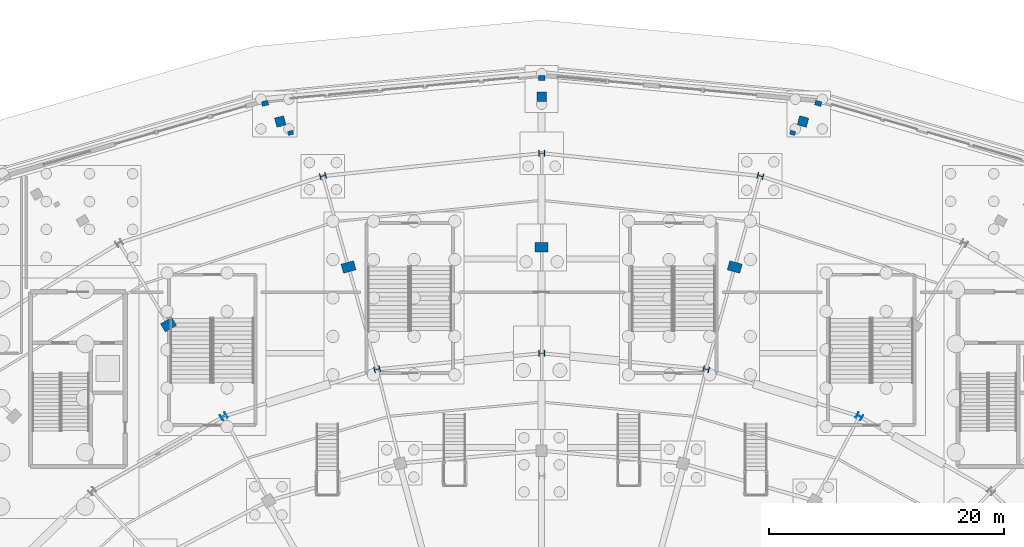
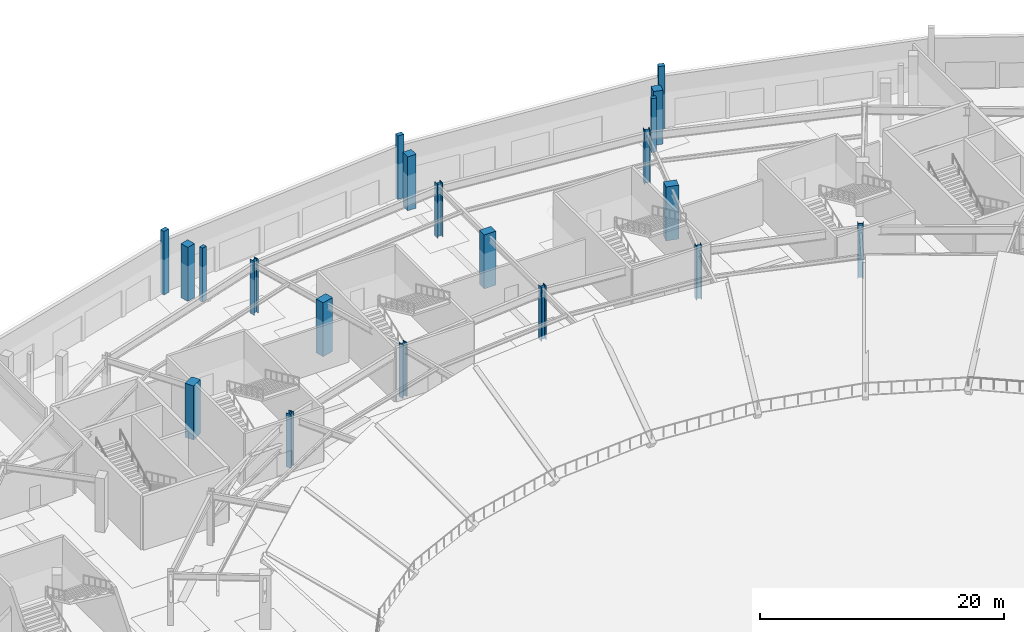
# One storey, part 24 of 93: 20 columns.
"""IFC4 building model written with IfcOpenShell, lengths in metres."""

from ifc_helpers import new_model, si_unit, direction, frame, origin, origin_2d, place, context, subcontext, project, spatial, rectangle, i_section, extrude, material, material_profile, profile_set, type_object, element, save


model = new_model("IFC4")

# Units and contexts
model_context = context("Model", 3, precision=1e-05, world=origin(), true_north=direction((0.0, 1.0)))
body_context = subcontext(model_context, "Body", "Model", "MODEL_VIEW")
ifc_project = project(units=[si_unit("LENGTHUNIT", "METRE"), si_unit("AREAUNIT", "SQUARE_METRE"), si_unit("VOLUMEUNIT", "CUBIC_METRE"), si_unit("PLANEANGLEUNIT", "RADIAN"), si_unit("MASSUNIT", "GRAM", prefix="KILO")], contexts=[model_context])

# Site, building, storey
site_placement = place(None, origin())
site = spatial("IfcSite", under=ifc_project, at=site_placement, CompositionType="ELEMENT")
building_placement = place(site_placement, origin())
building = spatial("IfcBuilding", under=site, at=building_placement, Name="Kalgoora Escarpment Arena", CompositionType="ELEMENT")
storey_placement = place(building_placement, origin())
storey = spatial("IfcBuildingStorey", under=building, at=storey_placement, Name="L00", CompositionType="ELEMENT", Elevation=0.0)

# Columns
ifc_material_1 = material(Name="Structural steel Grade 350 (350 MPa)", Category="steel")
ifc_material_profile_1 = material_profile(ifc_material_1, i_section(OverallWidth=0.5, OverallDepth=0.5, WebThickness=0.02001953125, FlangeThickness=0.034912109375, at=origin_2d()))
ifc_profile_set_1 = profile_set([ifc_material_profile_1], Name="Structural steel Grade 350 (350 MPa)")
column_type_1 = type_object("IfcColumnType", Name="COL-COL-500WC340", PredefinedType="COLUMN", material=ifc_profile_set_1)
for number, where, z_axis, x_axis, name in (
    (1, (110.983154296875, 119.057861328125, 0.0), (0.0, 0.0, 1.0), (0.258819045103, 0.965925826289, 0.0), "L00 structural column COL-RCONC2-R06"),
    (2, (92.39990234375, 121.0, 0.0), (0.0, 0.0, 1.0), (0.0, 1.0, 0.0), "L00 structural column COL-RCONC2-R07"),
    (3, (73.81689453125, 119.057861328125, 0.0), (0.0, 0.0, 1.0), (-0.258819045103, 0.965925826289, 0.0), "L00 structural column COL-RCONC2-R08"),
):
    element("IfcColumn", number, at=place(storey_placement, frame(where, z_axis=z_axis, x_axis=x_axis)), inside=storey, type_object=column_type_1, Name=name, PredefinedType="COLUMN", context=body_context, shape_type="SweptSolid", body=[
        extrude(i_section(OverallWidth=0.5, OverallDepth=0.5, WebThickness=0.02001953125, FlangeThickness=0.034912109375, at=origin_2d()), origin(), (0.0, 0.0, 1.0), 5.39990234375),
    ])
ifc_material_2 = material(Name="Structural steel Grade 350 (350 MPa)", Category="steel")
ifc_material_profile_2 = material_profile(ifc_material_2, i_section(OverallWidth=0.5, OverallDepth=0.5, WebThickness=0.02490234375, FlangeThickness=0.0419921875, at=origin_2d()))
ifc_profile_set_2 = profile_set([ifc_material_profile_2], Name="Structural steel Grade 350 (350 MPa)")
column_type_2 = type_object("IfcColumnType", Name="COL-COL-500WC440", PredefinedType="COLUMN", material=ifc_profile_set_2)
for number, where, z_axis, x_axis, name in (
    (4, (119.39990234375, 98.64111328125, 0.0), (0.0, 0.0, 1.0), (0.5, 0.866025403784, 0.0), "L00 structural column COL-RMAIN-R05"),
    (5, (106.376220703125, 102.636962890625, 0.0), (0.0, 0.0, 1.0), (0.258819045103, 0.965925826289, 0.0), "L00 structural column COL-RMAIN-R06"),
    (6, (92.39990234375, 104.0, 0.0), (0.0, 0.0, 1.0), (0.0, 1.0, 0.0), "L00 structural column COL-RMAIN-R07"),
    (7, (78.423828125, 102.636962890625, 0.0), (0.0, 0.0, 1.0), (-0.258819045103, 0.965925826289, 0.0), "L00 structural column COL-RMAIN-R08"),
    (8, (65.39990234375, 98.64111328125, 0.0), (0.0, 0.0, 1.0), (-0.5, 0.866025403784, 0.0), "L00 structural column COL-RMAIN-R09"),
):
    element("IfcColumn", number, at=place(storey_placement, frame(where, z_axis=z_axis, x_axis=x_axis)), inside=storey, type_object=column_type_2, Name=name, PredefinedType="COLUMN", context=body_context, shape_type="SweptSolid", body=[
        extrude(i_section(OverallWidth=0.5, OverallDepth=0.5, WebThickness=0.02490234375, FlangeThickness=0.0419921875, at=origin_2d()), origin(), (0.0, 0.0, 1.0), 5.39990234375),
    ])
ifc_material_3 = material(Name="Concrete N50 (fc' 50 MPa)", Category="concrete")
ifc_material_profile_3 = material_profile(ifc_material_3, rectangle(XDim=0.800048828125, YDim=1.10009765625, at=origin_2d()))
ifc_profile_set_3 = profile_set([ifc_material_profile_3], Name="Concrete N50 (fc' 50 MPa)")
column_type_3 = type_object("IfcColumnType", Name="COL-COL-RC1100x800", PredefinedType="COLUMN", material=ifc_profile_set_3)
for number, where, z_axis, x_axis, name in (
    (9, (108.80908203125, 111.330322265625, 0.0), (0.0, 0.0, 1.0), (0.258819045103, 0.965925826289, 0.0), "L00 structural column COL-RCONC1-R06"),
    (10, (92.39990234375, 113.0, 0.0), (0.0, 0.0, 1.0), (0.0, 1.0, 0.0), "L00 structural column COL-RCONC1-R07"),
    (11, (75.990966796875, 111.330322265625, 0.0), (0.0, 0.0, 1.0), (-0.258819045103, 0.965925826289, 0.0), "L00 structural column COL-RCONC1-R08"),
    (12, (60.699951171875, 106.435302734375, 0.0), (0.0, 0.0, 1.0), (-0.5, 0.866025403784, 0.0), "L00 structural column COL-RCONC1-R09"),
):
    element("IfcColumn", number, at=place(storey_placement, frame(where, z_axis=z_axis, x_axis=x_axis)), inside=storey, type_object=column_type_3, Name=name, PredefinedType="COLUMN", context=body_context, shape_type="SweptSolid", body=[
        extrude(rectangle(XDim=0.800048828125, YDim=1.10009765625, at=origin_2d()), origin(), (0.0, 0.0, 1.0), 5.39990234375),
    ])
ifc_material_4 = material(Name="Concrete N50 (fc' 50 MPa)", Category="concrete")
ifc_material_profile_4 = material_profile(ifc_material_4, rectangle(XDim=0.800048828125, YDim=0.800048828125, at=origin_2d()))
ifc_profile_set_4 = profile_set([ifc_material_profile_4], Name="Concrete N50 (fc' 50 MPa)")
column_type_4 = type_object("IfcColumnType", Name="COL-COL-RC800x800", PredefinedType="COLUMN", material=ifc_profile_set_4)
for number, where, z_axis, x_axis, name in (
    (13, (114.606689453125, 123.694091796875, 0.0), (0.0, 0.0, 1.0), (0.258819045103, 0.965925826289, 0.0), "L00 structural column COL-RBASE2-R06"),
    (14, (92.39990234375, 125.800048828125, 0.0), (0.0, 0.0, 1.0), (0.0, 1.0, 0.0), "L00 structural column COL-RBASE2-R07"),
    (15, (70.193359375, 123.694091796875, 0.0), (0.0, 0.0, 1.0), (-0.258819045103, 0.965925826289, 0.0), "L00 structural column COL-RBASE2-R08"),
):
    element("IfcColumn", number, at=place(storey_placement, frame(where, z_axis=z_axis, x_axis=x_axis)), inside=storey, type_object=column_type_4, Name=name, PredefinedType="COLUMN", context=body_context, shape_type="SweptSolid", body=[
        extrude(rectangle(XDim=0.800048828125, YDim=0.800048828125, at=origin_2d()), origin(), (0.0, 0.0, 1.0), 5.39990234375),
    ])
ifc_material_5 = material(Name="Precast concrete N50 (fc' 50 MPa)", Category="concrete")
ifc_material_profile_5 = material_profile(ifc_material_5, rectangle(XDim=0.35009765625, YDim=0.449951171875, at=origin_2d()))
ifc_profile_set_5 = profile_set([ifc_material_profile_5], Name="Precast concrete N50 (fc' 50 MPa)")
column_type_5 = type_object("IfcColumnType", Name="COL-PIL-PC-PILASTER-450x350", PredefinedType="PILASTER", material=ifc_profile_set_5)
for number, where, z_axis, x_axis, name in (
    (16, (113.72705078125, 122.72802734375, 0.0), (0.0, 0.0, 1.0), (0.258819045103, 0.965925826289, 0.0), "L00 fluted pilaster PIL-051"),
    (17, (71.072998046875, 122.72802734375, 0.0), (0.0, 0.0, 1.0), (-0.258819045103, 0.965925826289, 0.0), "L00 fluted pilaster PIL-053"),
):
    element("IfcColumn", number, at=place(storey_placement, frame(where, z_axis=z_axis, x_axis=x_axis)), inside=storey, type_object=column_type_5, Name=name, PredefinedType="PILASTER", context=body_context, shape_type="SweptSolid", body=[
        extrude(rectangle(XDim=0.35009765625, YDim=0.449951171875, at=origin_2d()), origin(), (0.0, 0.0, 1.0), 5.39990234375),
    ])
ifc_material_6 = material(Name="Precast concrete N50 (fc' 50 MPa)", Category="concrete")
ifc_material_profile_6 = material_profile(ifc_material_6, rectangle(XDim=0.39990234375, YDim=0.550048828125, at=origin_2d()))
ifc_profile_set_6 = profile_set([ifc_material_profile_6], Name="Precast concrete N50 (fc' 50 MPa)")
column_type_6 = type_object("IfcColumnType", Name="COL-PIL-PC-PILASTER-550x400", PredefinedType="PILASTER", material=ifc_profile_set_6)
for number, where, z_axis, x_axis, name in (
    (18, (115.90087890625, 125.239990234375, 0.0), (0.0, 0.0, 1.0), (0.258819045103, 0.965925826289, 0.0), "L00 fluted pilaster PIL-027"),
    (19, (92.39990234375, 127.39990234375, 0.0), (0.0, 0.0, 1.0), (0.0, 1.0, 0.0), "L00 fluted pilaster PIL-028"),
    (20, (68.89892578125, 125.239990234375, 0.0), (0.0, 0.0, 1.0), (-0.258819045103, 0.965925826289, 0.0), "L00 fluted pilaster PIL-029"),
):
    element("IfcColumn", number, at=place(storey_placement, frame(where, z_axis=z_axis, x_axis=x_axis)), inside=storey, type_object=column_type_6, Name=name, PredefinedType="PILASTER", context=body_context, shape_type="SweptSolid", body=[
        extrude(rectangle(XDim=0.39990234375, YDim=0.550048828125, at=origin_2d()), origin(), (0.0, 0.0, 1.0), 6.35009765625),
    ])

save(model, "model.ifc")
